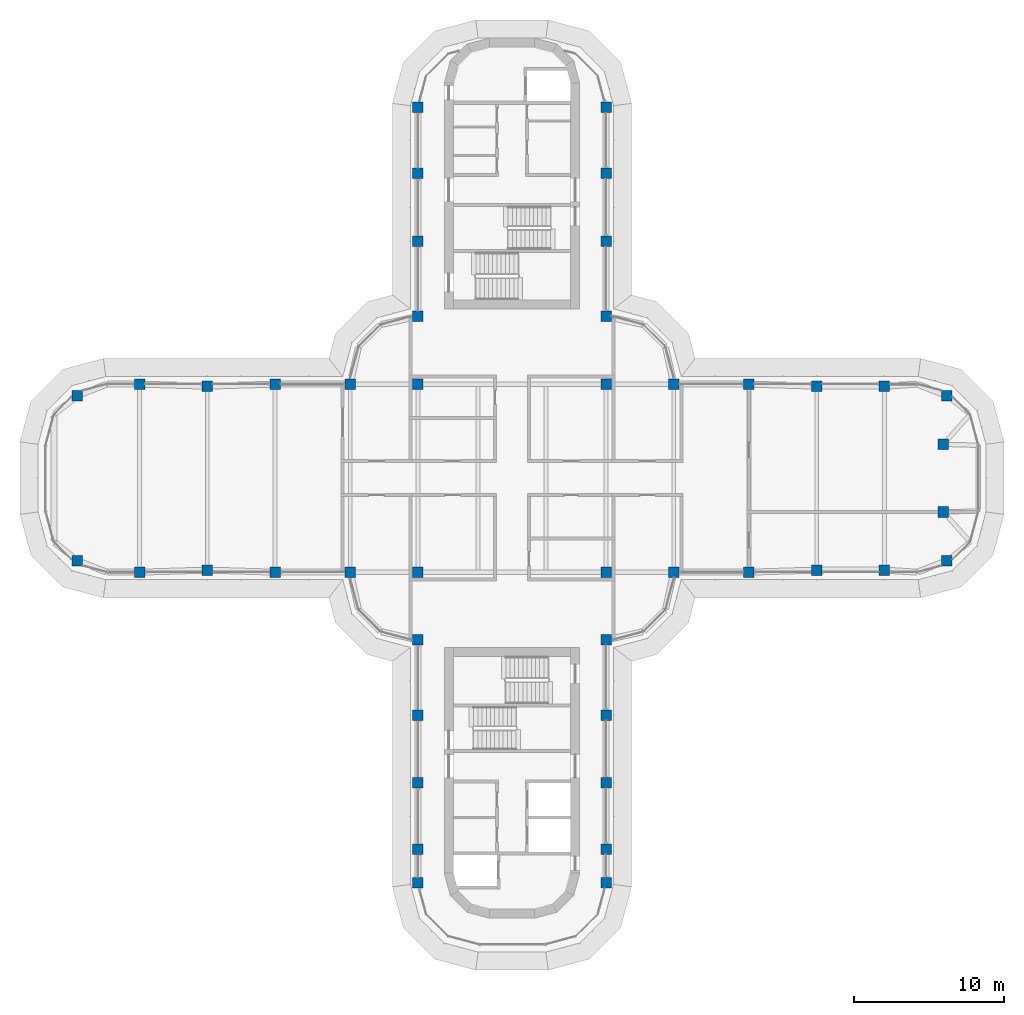
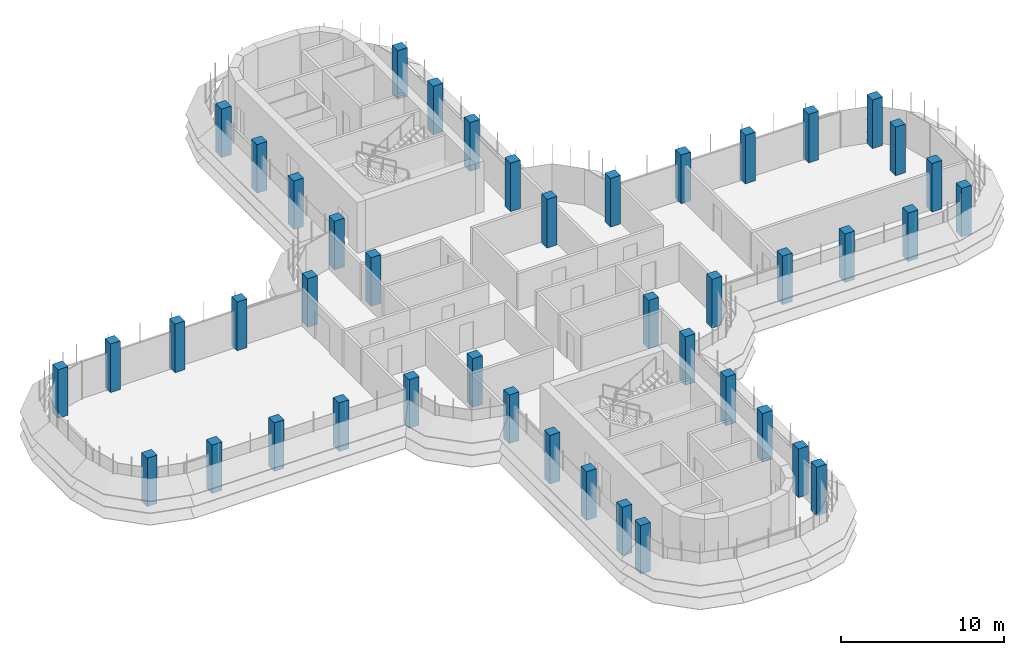
# One storey, part 1 of 19: 44 columns.
"""IFC4 building model written with IfcOpenShell, lengths in metres."""

from ifc_helpers import new_model, si_unit, direction, frame, origin, origin_2d, place, context, subcontext, project, spatial, rectangle, extrude, material, material_profile, profile_set, type_object, element, save


model = new_model("IFC4")

# Units and contexts
model_context = context("Model", 3, precision=1e-05, world=origin(), true_north=direction((0.0, 1.0)))
body_context = subcontext(model_context, "Body", "Model", "MODEL_VIEW")
ifc_project = project(units=[si_unit("LENGTHUNIT", "METRE"), si_unit("AREAUNIT", "SQUARE_METRE"), si_unit("VOLUMEUNIT", "CUBIC_METRE"), si_unit("PLANEANGLEUNIT", "RADIAN"), si_unit("MASSUNIT", "GRAM", prefix="KILO")], contexts=[model_context])

# Site, building, storey
site_placement = place(None, origin())
site = spatial("IfcSite", under=ifc_project, at=site_placement, CompositionType="ELEMENT")
building_placement = place(site_placement, origin())
building = spatial("IfcBuilding", under=site, at=building_placement, Name="Zarbagh Exchange Tower", CompositionType="ELEMENT")
storey_placement = place(building_placement, frame((0.0, 0.0, 222.0)))
storey = spatial("IfcBuildingStorey", under=building, at=storey_placement, Name="L54", CompositionType="ELEMENT", Elevation=222.0)

# Columns
ifc_material = material(Name="Concrete C50/60", Category="concrete")
ifc_material_profile = material_profile(ifc_material, rectangle(XDim=0.699951171875, YDim=0.699951171875, at=origin_2d()), Name="RC column 700 x 700 C50/60")
ifc_profile_set = profile_set([ifc_material_profile], Name="Concrete C50/60")
column_type = type_object("IfcColumnType", Name="RC column 700 x 700 C50/60", PredefinedType="COLUMN", material=ifc_profile_set)
for number, where, z_axis, x_axis, name in (
    (1, (-28.907958984375, -5.47509765625, 0.0), (0.0, 0.0, 1.0), (1.0, 0.0, 0.0), "C5 11/R"),
    (2, (-28.907958984375, 5.47509765625, 0.0), (0.0, 0.0, 1.0), (1.0, 0.0, 0.0), "C5 11/U"),
    (3, (-24.75, -6.25, 0.0), (0.0, 0.0, 1.0), (1.0, 0.0, 0.0), "C5 12/R"),
    (4, (-24.75, 6.25, 0.0), (0.0, 0.0, 1.0), (1.0, 0.0, 0.0), "C5 12/U"),
    (5, (-20.25, -6.110107421875, 0.0), (0.0, 0.0, 1.0), (1.0, 0.0, 0.0), "C5 13/R"),
    (6, (-20.25, 6.110107421875, 0.0), (0.0, 0.0, 1.0), (1.0, 0.0, 0.0), "C5 13/U"),
    (7, (-15.75, -6.25, 0.0), (0.0, 0.0, 1.0), (1.0, 0.0, 0.0), "C5 14/R"),
    (8, (-15.75, 6.25, 0.0), (0.0, 0.0, 1.0), (1.0, 0.0, 0.0), "C5 14/U"),
    (9, (-10.75, -6.25, 0.0), (0.0, 0.0, 1.0), (1.0, 0.0, 0.0), "C5 15/R"),
    (10, (-10.75, 6.25, 0.0), (0.0, 0.0, 1.0), (1.0, 0.0, 0.0), "C5 15/U"),
    (11, (-6.25, -26.89990234375, 0.0), (0.0, 0.0, 1.0), (1.0, 0.0, 0.0), "C5 16/L"),
    (12, (-6.25, -24.64990234375, 0.0), (0.0, 0.0, 1.0), (1.0, 0.0, 0.0), "C5 16/M"),
    (13, (-6.25, -20.25, 0.0), (0.0, 0.0, 1.0), (1.0, 0.0, 0.0), "C5 16/N"),
    (14, (-6.25, -15.75, 0.0), (0.0, 0.0, 1.0), (1.0, 0.0, 0.0), "C5 16/P"),
    (15, (-6.25, -10.75, 0.0), (0.0, 0.0, 1.0), (1.0, 0.0, 0.0), "C5 16/Q"),
    (16, (-6.25, -6.25, 0.0), (0.0, 0.0, 1.0), (1.0, 0.0, 0.0), "C5 16/R"),
    (17, (-6.25, 6.25, 0.0), (0.0, 0.0, 1.0), (1.0, 0.0, 0.0), "C5 16/U"),
    (18, (-6.25, 10.75, 0.0), (0.0, 0.0, 1.0), (1.0, 0.0, 0.0), "C5 16/V"),
    (19, (-6.25, 15.75, 0.0), (0.0, 0.0, 1.0), (1.0, 0.0, 0.0), "C5 16/W"),
    (20, (-6.25, 20.25, 0.0), (0.0, 0.0, 1.0), (1.0, 0.0, 0.0), "C5 16/X"),
    (21, (-6.25, 24.64990234375, 0.0), (0.0, 0.0, 1.0), (1.0, 0.0, 0.0), "C5 16/Y"),
    (22, (6.25, -26.89990234375, 0.0), (0.0, 0.0, 1.0), (1.0, 0.0, 0.0), "C5 19/L"),
    (23, (6.25, -24.64990234375, 0.0), (0.0, 0.0, 1.0), (1.0, 0.0, 0.0), "C5 19/M"),
    (24, (6.25, -20.25, 0.0), (0.0, 0.0, 1.0), (1.0, 0.0, 0.0), "C5 19/N"),
    (25, (6.25, -15.75, 0.0), (0.0, 0.0, 1.0), (1.0, 0.0, 0.0), "C5 19/P"),
    (26, (6.25, -10.75, 0.0), (0.0, 0.0, 1.0), (1.0, 0.0, 0.0), "C5 19/Q"),
    (27, (6.25, -6.25, 0.0), (0.0, 0.0, 1.0), (1.0, 0.0, 0.0), "C5 19/R"),
    (28, (6.25, 6.25, 0.0), (0.0, 0.0, 1.0), (1.0, 0.0, 0.0), "C5 19/U"),
    (29, (6.25, 10.75, 0.0), (0.0, 0.0, 1.0), (1.0, 0.0, 0.0), "C5 19/V"),
    (30, (6.25, 15.75, 0.0), (0.0, 0.0, 1.0), (1.0, 0.0, 0.0), "C5 19/W"),
    (31, (6.25, 20.25, 0.0), (0.0, 0.0, 1.0), (1.0, 0.0, 0.0), "C5 19/X"),
    (32, (6.25, 24.64990234375, 0.0), (0.0, 0.0, 1.0), (1.0, 0.0, 0.0), "C5 19/Y"),
    (33, (10.75, -6.25, 0.0), (0.0, 0.0, 1.0), (1.0, 0.0, 0.0), "C5 20/R"),
    (34, (10.75, 6.25, 0.0), (0.0, 0.0, 1.0), (1.0, 0.0, 0.0), "C5 20/U"),
    (35, (15.75, -6.25, 0.0), (0.0, 0.0, 1.0), (1.0, 0.0, 0.0), "C5 21/R"),
    (36, (15.75, 6.25, 0.0), (0.0, 0.0, 1.0), (1.0, 0.0, 0.0), "C5 21/U"),
    (37, (20.25, -6.110107421875, 0.0), (0.0, 0.0, 1.0), (1.0, 0.0, 0.0), "C5 22/R"),
    (38, (20.25, 6.110107421875, 0.0), (0.0, 0.0, 1.0), (1.0, 0.0, 0.0), "C5 22/U"),
    (39, (24.75, -6.110107421875, 0.0), (0.0, 0.0, 1.0), (1.0, 0.0, 0.0), "C5 23/R"),
    (40, (24.75, 6.110107421875, 0.0), (0.0, 0.0, 1.0), (1.0, 0.0, 0.0), "C5 23/U"),
    (41, (28.907958984375, -5.47509765625, 0.0), (0.0, 0.0, 1.0), (1.0, 0.0, 0.0), "C5 24/R"),
    (42, (28.669921875, -2.25, 0.0), (0.0, 0.0, 1.0), (1.0, 0.0, 0.0), "C5 24/S"),
    (43, (28.669921875, 2.25, 0.0), (0.0, 0.0, 1.0), (1.0, 0.0, 0.0), "C5 24/T"),
    (44, (28.907958984375, 5.47509765625, 0.0), (0.0, 0.0, 1.0), (1.0, 0.0, 0.0), "C5 24/U"),
):
    element("IfcColumn", number, at=place(storey_placement, frame(where, z_axis=z_axis, x_axis=x_axis)), inside=storey, type_object=column_type, Name=name, PredefinedType="COLUMN", context=body_context, shape_type="SweptSolid", body=[
        extrude(rectangle(XDim=0.699951171875, YDim=0.699951171875, at=origin_2d()), origin(), (0.0, 0.0, 1.0), 3.64990234375),
    ])

save(model, "model.ifc")
